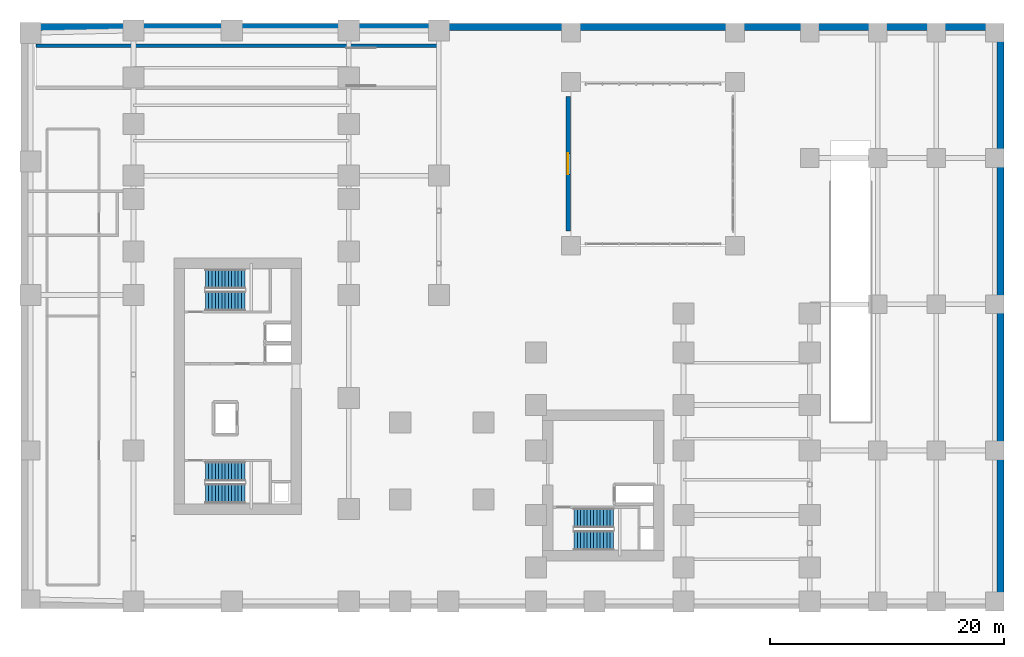
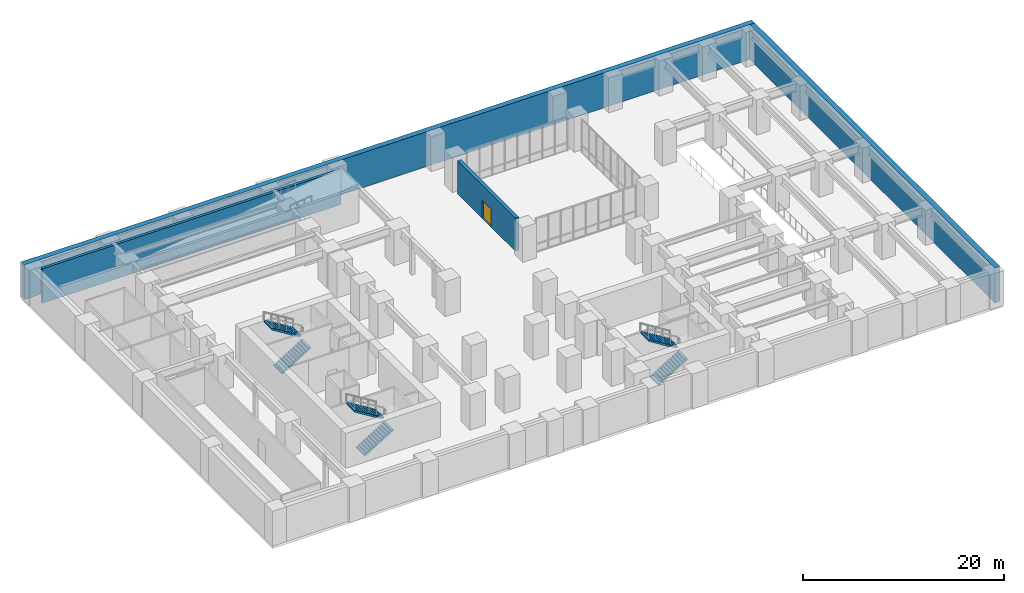
# One storey, part 15 of 18: 6 stair flights, 4 walls, 1 door, 1 opening, 3 elements without a shape of their own.
"""IFC4 building model written with IfcOpenShell, lengths in metres."""

from ifc_helpers import new_model, si_unit, direction, frame, frame_2d, origin, place, context, subcontext, project, spatial, polyline, rectangle, outline, extrude, source, transform, mapped, material, layer, layer_set, type_object, element, fill, aggregate, save


model = new_model("IFC4")

# Units and contexts
model_context = context("Model", 3, precision=1e-05, world=origin(), true_north=direction((0.0, 1.0)))
body_context = subcontext(model_context, "Body", "Model", "MODEL_VIEW")
ifc_project = project(units=[si_unit("LENGTHUNIT", "METRE"), si_unit("AREAUNIT", "SQUARE_METRE"), si_unit("VOLUMEUNIT", "CUBIC_METRE"), si_unit("PLANEANGLEUNIT", "RADIAN"), si_unit("MASSUNIT", "GRAM", prefix="KILO")], contexts=[model_context])

# Site, building, storey
site_placement = place(None, origin())
site = spatial("IfcSite", under=ifc_project, at=site_placement, CompositionType="ELEMENT")
building_placement = place(site_placement, origin())
building = spatial("IfcBuilding", under=site, at=building_placement, Name="Kharzan Plaza Tower", CompositionType="ELEMENT")
storey_placement = place(building_placement, frame((0.0, 0.0, -4.5)))
storey = spatial("IfcBuildingStorey", under=building, at=storey_placement, Name="B01", CompositionType="ELEMENT", Elevation=-4.5)

# Wall, opening, door
ifc_material_1 = material(Name="Concrete C40/50", Category="concrete")
ifc_layer_1 = layer(ifc_material_1, 0.39990234375)
ifc_layer_set_1 = layer_set([ifc_layer_1], Name="Concrete C40/50")
wall_type_1 = type_object("IfcWallType", Name="WL-POD-MAS-400", PredefinedType="SOLIDWALL", material=ifc_layer_set_1)
wall_1_placement = place(storey_placement, frame((37.75, 32.25, 0.0), z_axis=(0.0, 0.0, 1.0), x_axis=(0.0, 1.0, 0.0)))
wall_1 = element("IfcWall", 1, at=wall_1_placement, inside=storey, type_object=wall_type_1, Name="B01 Sunken Oculus Courtyard West Wall", PredefinedType="SOLIDWALL", context=body_context, shape_type="SweptSolid", body=[
    extrude(rectangle(XDim=11.5, YDim=0.39990234375, at=frame_2d((5.75, 0.0))), origin(), (0.0, 0.0, 1.0), 4.034912109375),
])
opening_placement = place(wall_1_placement, frame((4.85009765625, 0.0, 0.0)))
opening = element("IfcOpeningElement", 2, at=opening_placement, cuts=wall_1, Name="Opening ED2", PredefinedType="OPENING", context=body_context, shape_type="SweptSolid", body=[
    extrude(rectangle(XDim=1.800048828125, YDim=2.199951171875, at=frame_2d((0.89990234375, 1.10009765625))), frame((0.0, 0.2099609375, 0.0), z_axis=(0.0, -1.0, 0.0), x_axis=(1.0, 0.0, 0.0)), (0.0, 0.0, 1.0), 0.419921875),
])
ifc_material_2 = material(Name="Thermally Broken Anodized Bronze Aluminium", Category="aluminium")
door_type = type_object("IfcDoorType", Name="DR-EXT-TERR-1800", OperationType="DOUBLE_DOOR_SINGLE_SWING", PredefinedType="DOOR", material=ifc_material_2)
shared_shape_1 = source(origin(), body_context, "Body", "SweptSolid", [
    extrude(rectangle(XDim=1.800048828125, YDim=2.199951171875, at=frame_2d((0.89990234375, 1.10009765625))), frame((0.0, 0.02490234375, 0.0), z_axis=(0.0, -1.0, 0.0), x_axis=(1.0, 0.0, 0.0)), (0.0, 0.0, 1.0), 0.050048828125),
])
door_placement = place(opening_placement, origin())
door = element("IfcDoor", 3, at=door_placement, inside=storey, type_object=door_type, Name="B01 Sunken Oculus Courtyard Access Door", OperationType="DOUBLE_DOOR_SINGLE_SWING", OverallHeight=2.199951171875, OverallWidth=1.800048828125, PredefinedType="DOOR", context=body_context, shape_type="MappedRepresentation", body=[
    mapped(shared_shape_1, transform((0.0, 0.0, 0.0), x_axis=(1.0, 0.0, 0.0), y_axis=(0.0, 1.0, 0.0), z_axis=(0.0, 0.0, 1.0))),
])
fill(opening, door)

# Walls
ifc_material_3 = material(Name="Concrete C50/60", Category="concrete")
ifc_layer_2 = layer(ifc_material_3, 0.300048828125)
ifc_layer_set_2 = layer_set([ifc_layer_2], Name="Concrete C50/60")
wall_type_2 = type_object("IfcWallType", Name="WL-RAMP-RC300", PredefinedType="SHEAR", material=ifc_layer_set_2)
shared_shape_2 = source(origin(), body_context, "Body", "SweptSolid", [
    extrude(rectangle(XDim=34.300048828125, YDim=0.300048828125, at=frame_2d((17.14990234375, 0.0))), origin(), (0.0, 0.0, 1.0), 4.199951171875),
])
wall_2_placement = place(storey_placement, frame((-7.75, 48.10009765625, 0.0), z_axis=(0.0, 0.0, 1.0), x_axis=(1.0, 0.0, 0.0)))
element("IfcWall", 4, at=wall_2_placement, inside=storey, type_object=wall_type_2, Name="B01 Upper Ramp North Support Wall", PredefinedType="SHEAR", context=body_context, shape_type="MappedRepresentation", body=[
    mapped(shared_shape_2, transform((0.0, 0.0, 0.0), x_axis=(1.0, 0.0, 0.0), y_axis=(0.0, 1.0, 0.0), z_axis=(0.0, 0.0, 1.0))),
])
ifc_layer_3 = layer(ifc_material_3, 0.60009765625)
ifc_layer_set_3 = layer_set([ifc_layer_3], Name="Concrete C50/60")
wall_type_3 = type_object("IfcWallType", Name="WL-RETAIN-600", PredefinedType="USERDEFINED", material=ifc_layer_set_3)
shared_shape_3 = source(origin(), body_context, "Body", "SweptSolid", [
    extrude(rectangle(XDim=48.7998046875, YDim=0.60009765625, at=frame_2d((24.39990234375, 0.0))), origin(), (0.0, 0.0, 1.0), 4.239990234375),
])
wall_3_placement = place(storey_placement, frame((74.699951171875, 0.60009765625, 0.0), z_axis=(0.0, 0.0, 1.0), x_axis=(0.0, 1.0, 0.0)))
element("IfcWall", 5, at=wall_3_placement, inside=storey, type_object=wall_type_3, Name="B01 East Basement Retaining Wall 600 mm", ObjectType="RETAININGWALL", PredefinedType="USERDEFINED", context=body_context, shape_type="MappedRepresentation", body=[
    mapped(shared_shape_3, transform((0.0, 0.0, 0.0), x_axis=(1.0, 0.0, 0.0), y_axis=(0.0, 1.0, 0.0), z_axis=(0.0, 0.0, 1.0))),
])
shared_shape_4 = source(origin(), body_context, "Body", "SweptSolid", [
    extrude(rectangle(XDim=84.0, YDim=0.60009765625, at=frame_2d((42.0, 0.0))), origin(), (0.0, 0.0, 1.0), 4.239990234375),
])
wall_4_placement = place(storey_placement, frame((-9.0, 49.699951171875, 0.0), z_axis=(0.0, 0.0, 1.0), x_axis=(1.0, 0.0, 0.0)))
element("IfcWall", 6, at=wall_4_placement, inside=storey, type_object=wall_type_3, Name="B01 North Basement Retaining Wall 600 mm", ObjectType="RETAININGWALL", PredefinedType="USERDEFINED", context=body_context, shape_type="MappedRepresentation", body=[
    mapped(shared_shape_4, transform((0.0, 0.0, 0.0), x_axis=(1.0, 0.0, 0.0), y_axis=(0.0, 1.0, 0.0), z_axis=(0.0, 0.0, 1.0))),
])

# Stair, stair flights
stair_type_1 = type_object("IfcStairType", Name="STR-ST-1", PredefinedType="HALF_TURN_STAIR", material=ifc_material_1)
stair_1_placement = place(storey_placement, origin())
stair_1 = element("IfcStair", 7, at=stair_1_placement, inside=storey, type_object=stair_type_1, Name="B01 Protected Exit Stair ST-1", PredefinedType="HALF_TURN_STAIR")
stair_flight_type = type_object("IfcStairFlightType", Name="SFL-1650-R173", PredefinedType="STRAIGHT", material=ifc_material_1)
shared_shape_5 = source(origin(), body_context, "Body", "SweptSolid", [
    extrude(outline(polyline([(-0.0029296875, -0.011962890625), (-0.0029296875, 0.0), (0.0, 0.0), (0.0, 0.173095703125), (0.280029296875, 0.173095703125), (0.280029296875, 0.34619140625), (0.56005859375, 0.34619140625), (0.56005859375, 0.519287109375), (0.840087890625, 0.519287109375), (0.840087890625, 0.6923828125), (1.1201171875, 0.6923828125), (1.1201171875, 0.865478515625), (1.400146484375, 0.865478515625), (1.400146484375, 1.03857421875), (1.68017578125, 1.03857421875), (1.68017578125, 1.211669921875), (1.960205078125, 1.211669921875), (1.960205078125, 1.384765625), (2.240234375, 1.384765625), (2.240234375, 1.557861328125), (2.520263671875, 1.557861328125), (2.520263671875, 1.73095703125), (2.80029296875, 1.73095703125), (2.80029296875, 1.904052734375), (3.080322265625, 1.904052734375), (3.080322265625, 2.0771484375), (3.3603515625, 2.0771484375), (3.3603515625, 2.250244140625), (3.3603515625, 1.90087890625), (0.28515625, 0.0), (0.28515625, -0.011962890625), (-0.0029296875, -0.011962890625)])), frame((0.0, 0.824951171875, 0.0), z_axis=(0.0, -1.0, 0.0), x_axis=(1.0, 0.0, 0.0)), (0.0, 0.0, 1.0), 1.64990234375),
])
stair_flight_1_placement = place(storey_placement, frame((6.75, 9.824951171875, 0.0), z_axis=(0.0, 0.0, 1.0), x_axis=(1.0, 0.0, 0.0)))
stair_flight_1 = element("IfcStairFlight", 8, at=stair_flight_1_placement, type_object=stair_flight_type, Name="ST-1 flight 1", NumberOfRisers=13, NumberOfTreads=12, PredefinedType="STRAIGHT", RiserHeight=0.173076923, TreadLength=0.28, context=body_context, shape_type="MappedRepresentation", body=[
    mapped(shared_shape_5, transform((0.0, 0.0, 0.0), x_axis=(1.0, 0.0, 0.0), y_axis=(0.0, 1.0, 0.0), z_axis=(0.0, 0.0, 1.0))),
])
stair_flight_2_placement = place(storey_placement, frame((10.110107421875, 11.72509765625, 2.25), z_axis=(0.0, 0.0, 1.0), x_axis=(-1.0, 0.0, 0.0)))
stair_flight_2 = element("IfcStairFlight", 9, at=stair_flight_2_placement, type_object=stair_flight_type, Name="ST-1 flight 2", NumberOfRisers=13, NumberOfTreads=12, PredefinedType="STRAIGHT", RiserHeight=0.173076923, TreadLength=0.28, context=body_context, shape_type="MappedRepresentation", body=[
    mapped(shared_shape_5, transform((0.0, 0.0, 0.0), x_axis=(1.0, 0.0, 0.0), y_axis=(0.0, 1.0, 0.0), z_axis=(0.0, 0.0, 1.0))),
])
aggregate(stair_1, [stair_flight_1, stair_flight_2])

stair_type_2 = type_object("IfcStairType", Name="STR-ST-2", PredefinedType="HALF_TURN_STAIR", material=ifc_material_1)
stair_2_placement = place(storey_placement, origin())
stair_2 = element("IfcStair", 10, at=stair_2_placement, inside=storey, type_object=stair_type_2, Name="B01 Protected Exit Stair ST-2", PredefinedType="HALF_TURN_STAIR")
stair_flight_3_placement = place(storey_placement, frame((6.75, 26.27490234375, 0.0), z_axis=(0.0, 0.0, 1.0), x_axis=(1.0, 0.0, 0.0)))
stair_flight_3 = element("IfcStairFlight", 11, at=stair_flight_3_placement, type_object=stair_flight_type, Name="ST-2 flight 1", NumberOfRisers=13, NumberOfTreads=12, PredefinedType="STRAIGHT", RiserHeight=0.173076923, TreadLength=0.28, context=body_context, shape_type="MappedRepresentation", body=[
    mapped(shared_shape_5, transform((0.0, 0.0, 0.0), x_axis=(1.0, 0.0, 0.0), y_axis=(0.0, 1.0, 0.0), z_axis=(0.0, 0.0, 1.0))),
])
stair_flight_4_placement = place(storey_placement, frame((10.110107421875, 28.175048828125, 2.25), z_axis=(0.0, 0.0, 1.0), x_axis=(-1.0, 0.0, 0.0)))
stair_flight_4 = element("IfcStairFlight", 12, at=stair_flight_4_placement, type_object=stair_flight_type, Name="ST-2 flight 2", NumberOfRisers=13, NumberOfTreads=12, PredefinedType="STRAIGHT", RiserHeight=0.173076923, TreadLength=0.28, context=body_context, shape_type="MappedRepresentation", body=[
    mapped(shared_shape_5, transform((0.0, 0.0, 0.0), x_axis=(1.0, 0.0, 0.0), y_axis=(0.0, 1.0, 0.0), z_axis=(0.0, 0.0, 1.0))),
])
aggregate(stair_2, [stair_flight_3, stair_flight_4])

stair_type_3 = type_object("IfcStairType", Name="STR-ST-3", PredefinedType="HALF_TURN_STAIR", material=ifc_material_1)
stair_3_placement = place(storey_placement, origin())
stair_3 = element("IfcStair", 13, at=stair_3_placement, inside=storey, type_object=stair_type_3, Name="B01 Protected Exit Stair ST-3", PredefinedType="HALF_TURN_STAIR")
stair_flight_5_placement = place(storey_placement, frame((38.25, 5.824951171875, 0.0), z_axis=(0.0, 0.0, 1.0), x_axis=(1.0, 0.0, 0.0)))
stair_flight_5 = element("IfcStairFlight", 14, at=stair_flight_5_placement, type_object=stair_flight_type, Name="ST-3 flight 1", NumberOfRisers=13, NumberOfTreads=12, PredefinedType="STRAIGHT", RiserHeight=0.173076923, TreadLength=0.28, context=body_context, shape_type="MappedRepresentation", body=[
    mapped(shared_shape_5, transform((0.0, 0.0, 0.0), x_axis=(1.0, 0.0, 0.0), y_axis=(0.0, 1.0, 0.0), z_axis=(0.0, 0.0, 1.0))),
])
stair_flight_6_placement = place(storey_placement, frame((41.610107421875, 7.72509765625, 2.25), z_axis=(0.0, 0.0, 1.0), x_axis=(-1.0, 0.0, 0.0)))
stair_flight_6 = element("IfcStairFlight", 15, at=stair_flight_6_placement, type_object=stair_flight_type, Name="ST-3 flight 2", NumberOfRisers=13, NumberOfTreads=12, PredefinedType="STRAIGHT", RiserHeight=0.173076923, TreadLength=0.28, context=body_context, shape_type="MappedRepresentation", body=[
    mapped(shared_shape_5, transform((0.0, 0.0, 0.0), x_axis=(1.0, 0.0, 0.0), y_axis=(0.0, 1.0, 0.0), z_axis=(0.0, 0.0, 1.0))),
])
aggregate(stair_3, [stair_flight_5, stair_flight_6])

save(model, "model.ifc")
